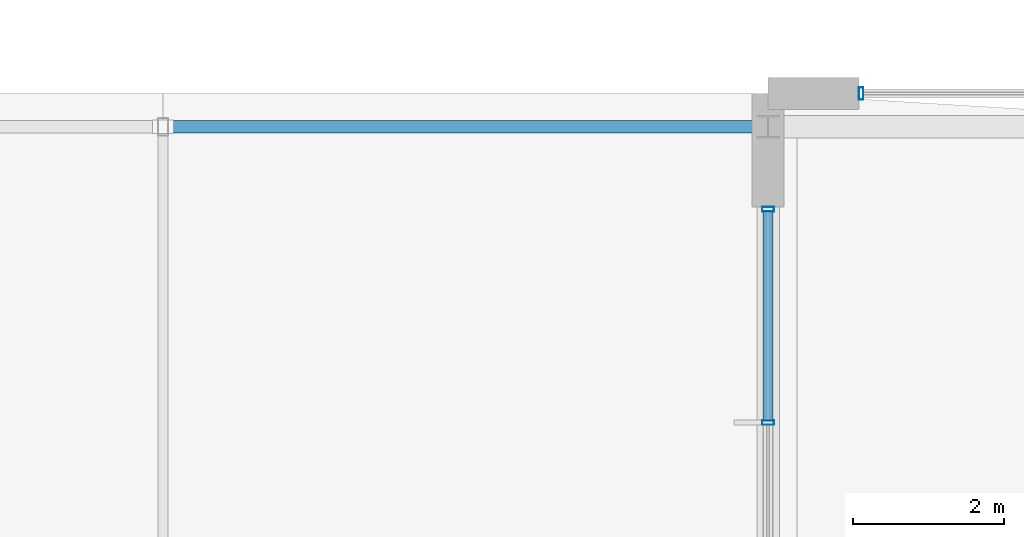
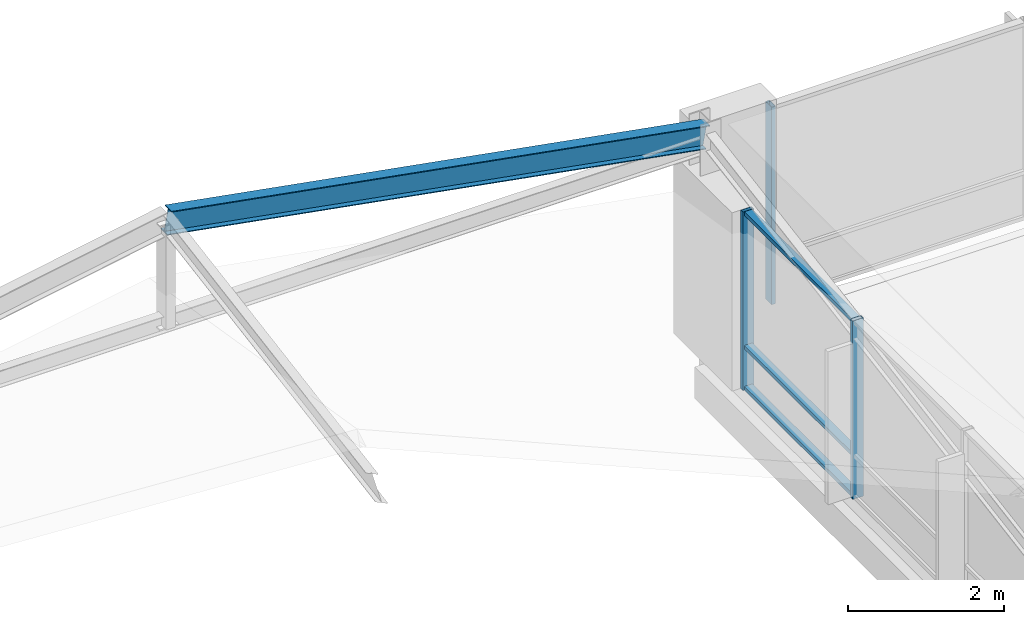
# One storey, part 100 of 189: 7 members, 2 elements without a shape of their own.
"""IFC4 building model written with IfcOpenShell, lengths in metres."""

from ifc_helpers import new_model, si_unit, direction, frame, origin, origin_2d, place, context, subcontext, project, spatial, hollow_rectangle, i_section, extrude, material, material_profile, profile_set, type_object, element, aggregate, save


model = new_model("IFC4")

# Units and contexts
model_context = context("Model", 3, precision=1e-05, world=origin(), true_north=direction((0.0, 1.0)))
body_context = subcontext(model_context, "Body", "Model", "MODEL_VIEW")
ifc_project = project(units=[si_unit("LENGTHUNIT", "METRE"), si_unit("AREAUNIT", "SQUARE_METRE"), si_unit("VOLUMEUNIT", "CUBIC_METRE"), si_unit("PLANEANGLEUNIT", "RADIAN"), si_unit("MASSUNIT", "GRAM", prefix="KILO")], contexts=[model_context])

# Site, building, storey
site_placement = place(None, origin())
site = spatial("IfcSite", under=ifc_project, at=site_placement, CompositionType="ELEMENT")
building_placement = place(site_placement, origin())
building = spatial("IfcBuilding", under=site, at=building_placement, Name="Zavelmont Quarter", CompositionType="ELEMENT")
storey_placement = place(building_placement, frame((0.0, 0.0, 4.39990234375)))
storey = spatial("IfcBuildingStorey", under=building, at=storey_placement, Name="L01", CompositionType="ELEMENT", Elevation=4.39990234375)

# Curtain wall, member
ifc_material_1 = material(Name="Thermally broken aluminium and double low-E safety glazing", Category="aluminium")
curtain_wall_type_1 = type_object("IfcCurtainWallType", Name="CW-1140X310", PredefinedType="NOTDEFINED", material=ifc_material_1)
curtain_wall_1_placement = place(storey_placement, origin())
curtain_wall_1 = element("IfcCurtainWall", 1, at=curtain_wall_1_placement, inside=storey, type_object=curtain_wall_type_1, Name="L01 unitised curtain wall CW-1140X310", PredefinedType="NOTDEFINED")
ifc_material_2 = material(Name="Powder-coated aluminium EN AW-6063-T6", Category="aluminium")
ifc_material_profile_1 = material_profile(ifc_material_2, hollow_rectangle(XDim=0.06005859375, YDim=0.159912109375, WallThickness=0.00390625, at=origin_2d()), Name="CWM60X160")
ifc_profile_set_1 = profile_set([ifc_material_profile_1], Name="Powder-coated aluminium EN AW-6063-T6")
member_type_1 = type_object("IfcMemberType", Name="CWM01", PredefinedType="MULLION", material=ifc_profile_set_1)
member_1_placement = place(storey_placement, frame((93.22998046875, 116.0, 0.0), z_axis=(0.0, 0.0, 1.0), x_axis=(1.0, 0.0, 0.0)))
member_1 = element("IfcMember", 2, at=member_1_placement, type_object=member_type_1, Name="CW-1140X310 mullion 1", PredefinedType="MULLION", context=body_context, shape_type="SweptSolid", body=[
    extrude(hollow_rectangle(XDim=0.06005859375, YDim=0.159912109375, WallThickness=0.00390625, at=origin_2d()), origin(), (0.0, 0.0, 1.0), 3.10009765625),
])
aggregate(curtain_wall_1, [member_1])

# Curtain wall, members
curtain_wall_type_2 = type_object("IfcCurtainWallType", Name="CW-1140X280", PredefinedType="NOTDEFINED", material=ifc_material_1)
curtain_wall_2_placement = place(storey_placement, origin())
curtain_wall_2 = element("IfcCurtainWall", 3, at=curtain_wall_2_placement, inside=storey, type_object=curtain_wall_type_2, Name="L01 unitised curtain wall CW-1140X280", PredefinedType="NOTDEFINED")
member_2_placement = place(storey_placement, frame((92.0, 111.64990234375, 0.0), z_axis=(0.0, 0.0, 1.0), x_axis=(0.0, 1.0, 0.0)))
member_2 = element("IfcMember", 4, at=member_2_placement, type_object=member_type_1, Name="CW-1140X280 mullion 4", PredefinedType="MULLION", context=body_context, shape_type="SweptSolid", body=[
    extrude(hollow_rectangle(XDim=0.06005859375, YDim=0.159912109375, WallThickness=0.00390625, at=origin_2d()), origin(), (0.0, 0.0, 1.0), 2.800048828125),
])
member_3_placement = place(storey_placement, frame((92.0, 114.469970703125, 0.0), z_axis=(0.0, 0.0, 1.0), x_axis=(0.0, 1.0, 0.0)))
member_3 = element("IfcMember", 5, at=member_3_placement, type_object=member_type_1, Name="CW-1140X280 mullion 5", PredefinedType="MULLION", context=body_context, shape_type="SweptSolid", body=[
    extrude(hollow_rectangle(XDim=0.06005859375, YDim=0.159912109375, WallThickness=0.00390625, at=origin_2d()), origin(), (0.0, 0.0, 1.0), 2.800048828125),
])
ifc_material_profile_2 = material_profile(ifc_material_2, hollow_rectangle(XDim=0.1201171875, YDim=0.06005859375, WallThickness=0.00390625, at=origin_2d()), Name="CWT60X120")
ifc_profile_set_2 = profile_set([ifc_material_profile_2], Name="Powder-coated aluminium EN AW-6063-T6")
member_type_2 = type_object("IfcMemberType", Name="CWT01", PredefinedType="NOTDEFINED", material=ifc_profile_set_2)
member_4_placement = place(storey_placement, frame((92.0, 111.679931640625, 0.030029296875), z_axis=(0.0, 1.0, 0.0), x_axis=(-1.0, 0.0, 0.0)))
member_4 = element("IfcMember", 6, at=member_4_placement, type_object=member_type_2, Name="CW-1140X280 transom 4.1", ObjectType="TRANSOM", PredefinedType="USERDEFINED", context=body_context, shape_type="SweptSolid", body=[
    extrude(hollow_rectangle(XDim=0.1201171875, YDim=0.06005859375, WallThickness=0.00390625, at=origin_2d()), origin(), (0.0, 0.0, 1.0), 2.760009765625),
])
member_5_placement = place(storey_placement, frame((92.0, 111.679931640625, 0.672119140625), z_axis=(0.0, 1.0, 0.0), x_axis=(-1.0, 0.0, 0.0)))
member_5 = element("IfcMember", 7, at=member_5_placement, type_object=member_type_2, Name="CW-1140X280 transom 4.2", ObjectType="TRANSOM", PredefinedType="USERDEFINED", context=body_context, shape_type="SweptSolid", body=[
    extrude(hollow_rectangle(XDim=0.1201171875, YDim=0.06005859375, WallThickness=0.00390625, at=origin_2d()), origin(), (0.0, 0.0, 1.0), 2.760009765625),
])
member_6_placement = place(storey_placement, frame((92.0, 111.679931640625, 2.77001953125), z_axis=(0.0, 1.0, 0.0), x_axis=(-1.0, 0.0, 0.0)))
member_6 = element("IfcMember", 8, at=member_6_placement, type_object=member_type_2, Name="CW-1140X280 transom 4.3", ObjectType="TRANSOM", PredefinedType="USERDEFINED", context=body_context, shape_type="SweptSolid", body=[
    extrude(hollow_rectangle(XDim=0.1201171875, YDim=0.06005859375, WallThickness=0.00390625, at=origin_2d()), origin(), (0.0, 0.0, 1.0), 2.760009765625),
])
aggregate(curtain_wall_2, [member_2, member_3, member_4, member_5, member_6])

# Member
ifc_material_3 = material(Name="Steel S355", Category="steel")
ifc_material_profile_3 = material_profile(ifc_material_3, i_section(OverallWidth=0.169921875, OverallDepth=0.360107421875, WebThickness=0.008056640625, FlangeThickness=0.0126953125, at=origin_2d()), Name="IPE 360")
ifc_profile_set_3 = profile_set([ifc_material_profile_3], Name="Steel S355")
member_type_3 = type_object("IfcMemberType", Name="RFM2", PredefinedType="RAFTER", material=ifc_profile_set_3)
member_7_placement = place(storey_placement, frame((84.0, 115.56005859375, 4.77001953125), z_axis=(0.983969211964, 0.0, -0.178338413997), x_axis=(0.0, 1.0, 0.0)))
element("IfcMember", 9, at=member_7_placement, inside=storey, type_object=member_type_3, Name="L01 member RFM2 13/S to 14/S", PredefinedType="RAFTER", context=body_context, shape_type="SweptSolid", body=[
    extrude(i_section(OverallWidth=0.169921875, OverallDepth=0.360107421875, WebThickness=0.008056640625, FlangeThickness=0.0126953125, at=origin_2d()), origin(), (0.0, 0.0, 1.0), 8.13037109375),
])

save(model, "model.ifc")
